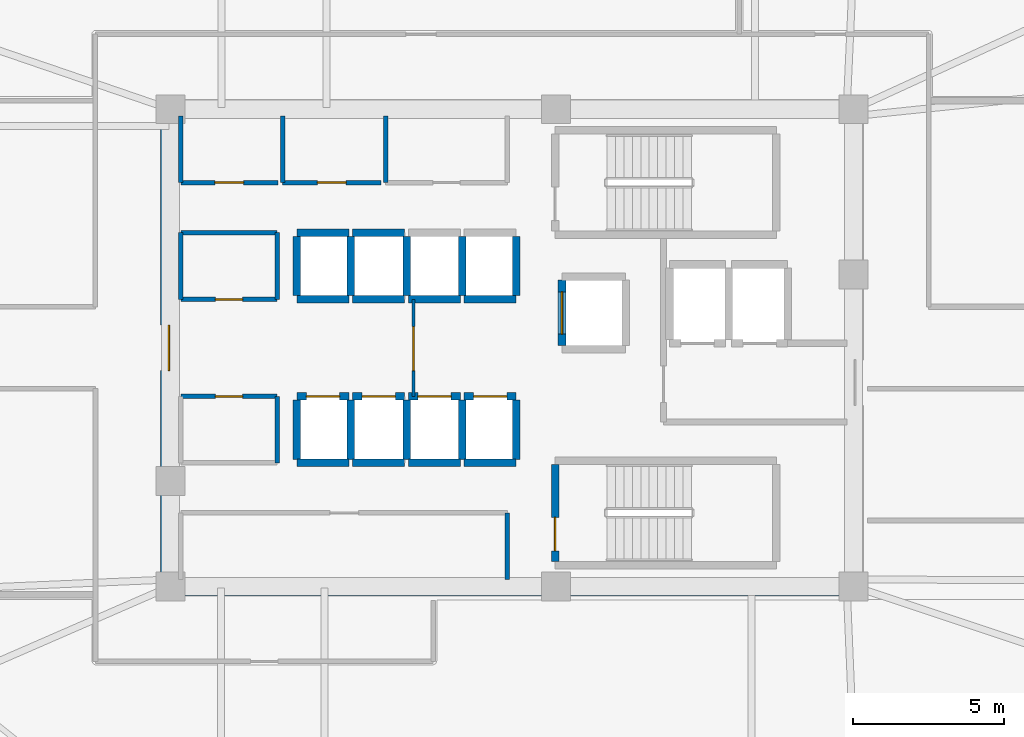
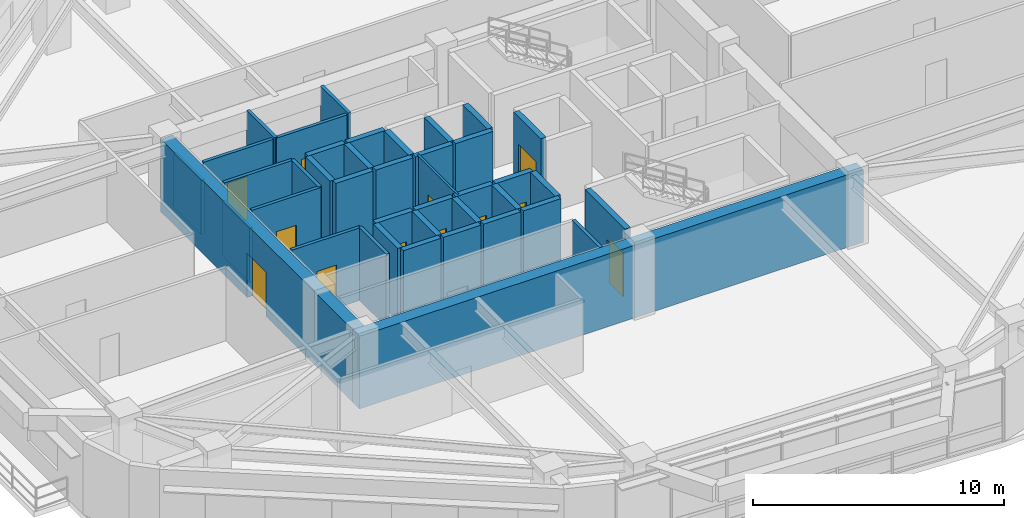
# One storey, part 9 of 14: 41 walls, 12 doors, 12 openings.
"""IFC4 building model written with IfcOpenShell, lengths in metres."""

from ifc_helpers import new_model, si_unit, direction, frame, frame_2d, origin, place, context, subcontext, project, spatial, rectangle, extrude, material, layer, layer_set, type_object, element, fill, save


model = new_model("IFC4")

# Units and contexts
model_context = context("Model", 3, precision=1e-05, world=origin(), true_north=direction((0.0, 1.0)))
body_context = subcontext(model_context, "Body", "Model", "MODEL_VIEW")
ifc_project = project(units=[si_unit("LENGTHUNIT", "METRE"), si_unit("AREAUNIT", "SQUARE_METRE"), si_unit("VOLUMEUNIT", "CUBIC_METRE"), si_unit("PLANEANGLEUNIT", "RADIAN"), si_unit("MASSUNIT", "GRAM", prefix="KILO")], contexts=[model_context])

# Site, building, storey
site_placement = place(None, origin())
site = spatial("IfcSite", under=ifc_project, at=site_placement, CompositionType="ELEMENT")
building_placement = place(site_placement, origin())
building = spatial("IfcBuilding", under=site, at=building_placement, Name="Zulverin Broadcast Headquarters", CompositionType="ELEMENT")
storey_placement = place(building_placement, frame((0.0, 0.0, 140.199951171875)))
storey = spatial("IfcBuildingStorey", under=building, at=storey_placement, Name="L35", CompositionType="ELEMENT", Elevation=140.199951171875)

# Wall
ifc_material_1 = material(Name="Concrete C60/75", Category="concrete")
ifc_layer_1 = layer(ifc_material_1, 0.550048828125, Name="Concrete C60/75", Category="concrete")
ifc_layer_set_1 = layer_set([ifc_layer_1], Name="Concrete C60/75")
wall_type_1 = type_object("IfcWallType", Name="WL-CORE-550", PredefinedType="SHEAR", material=ifc_layer_set_1)
wall_1_placement = place(storey_placement, frame((25.39990234375, 17.27490234375, 0.0), z_axis=(0.0, 0.0, 1.0), x_axis=(1.0, 0.0, 0.0)))
element("IfcWall", 1, at=wall_1_placement, inside=storey, type_object=wall_type_1, Name="L35 Core South Shear Wall", PredefinedType="SHEAR", context=body_context, shape_type="SweptSolid", body=[
    extrude(rectangle(XDim=23.2001953125, YDim=0.550048828125, at=frame_2d((11.60009765625, 0.0))), origin(), (0.0, 0.0, 1.0), 3.5400390625),
])

# Wall, opening, door
wall_2_placement = place(storey_placement, frame((25.675048828125, 17.550048828125, 0.0), z_axis=(0.0, 0.0, 1.0), x_axis=(0.0, 1.0, 0.0)))
wall_2 = element("IfcWall", 2, at=wall_2_placement, inside=storey, type_object=wall_type_1, Name="L35 Core West Shear Wall", PredefinedType="SHEAR", context=body_context, shape_type="SweptSolid", body=[
    extrude(rectangle(XDim=15.300048828125, YDim=0.550048828125, at=frame_2d((7.64990234375, 0.0))), origin(), (0.0, 0.0, 1.0), 3.5400390625),
])
opening_1_placement = place(wall_2_placement, frame((6.89990234375, 0.0, 0.0)))
opening_1 = element("IfcOpeningElement", 3, at=opening_1_placement, cuts=wall_2, Name="Opening D-L35-CW1", PredefinedType="OPENING", context=body_context, shape_type="SweptSolid", body=[
    extrude(rectangle(XDim=1.5, YDim=2.14990234375, at=frame_2d((0.75, 1.074951171875))), frame((0.0, 0.284912109375, 0.0), z_axis=(0.0, -1.0, 0.0), x_axis=(1.0, 0.0, 0.0)), (0.0, 0.0, 1.0), 0.570068359375),
])
ifc_material_2 = material(Name="Fire-rated glazed steel frame", Category="steel")
door_type_1 = type_object("IfcDoorType", Name="DR-COR-1500", OperationType="DOUBLE_DOOR_SINGLE_SWING", PredefinedType="DOOR", material=ifc_material_2)
door_1_placement = place(opening_1_placement, origin())
door_1 = element("IfcDoor", 4, at=door_1_placement, inside=storey, type_object=door_type_1, Name="L35 Central Lift Lobby West Portal Door", OperationType="DOUBLE_DOOR_SINGLE_SWING", OverallHeight=2.14990234375, OverallWidth=1.5, PredefinedType="DOOR", context=body_context, shape_type="SweptSolid", body=[
    extrude(rectangle(XDim=1.5, YDim=2.14990234375, at=frame_2d((0.75, 1.074951171875))), frame((0.0, 0.02490234375, 0.0), z_axis=(0.0, -1.0, 0.0), x_axis=(1.0, 0.0, 0.0)), (0.0, 0.0, 1.0), 0.050048828125),
])
fill(opening_1, door_1)

ifc_material_3 = material(Name="Fire-rated acoustic laminated glass screen", Category="glass")
ifc_layer_2 = layer(ifc_material_3, 0.10009765625, Name="Fire-rated acoustic laminated glass screen", Category="glass")
ifc_layer_set_2 = layer_set([ifc_layer_2], Name="Fire-rated acoustic laminated glass screen")
wall_type_2 = type_object("IfcWallType", Name="WL-GLAZ-100", PredefinedType="PARTITIONING", material=ifc_layer_set_2)
wall_3_placement = place(storey_placement, frame((33.75, 23.60009765625, 0.0), z_axis=(0.0, 0.0, 1.0), x_axis=(0.0, 1.0, 0.0)))
wall_3 = element("IfcWall", 5, at=wall_3_placement, inside=storey, type_object=wall_type_2, Name="L35 Core Lobby Acoustic Screen", PredefinedType="PARTITIONING", context=body_context, shape_type="SweptSolid", body=[
    extrude(rectangle(XDim=3.199951171875, YDim=0.10009765625, at=frame_2d((1.60009765625, 0.0))), origin(), (0.0, 0.0, 1.0), 3.5400390625),
])
opening_2_placement = place(wall_3_placement, frame((0.85009765625, 0.0, 0.0)))
opening_2 = element("IfcOpeningElement", 6, at=opening_2_placement, cuts=wall_3, Name="Opening D-L35-CL1", PredefinedType="OPENING", context=body_context, shape_type="SweptSolid", body=[
    extrude(rectangle(XDim=1.449951171875, YDim=2.1201171875, at=frame_2d((0.72509765625, 1.06005859375))), frame((0.0, 0.06005859375, 0.0), z_axis=(0.0, -1.0, 0.0), x_axis=(1.0, 0.0, 0.0)), (0.0, 0.0, 1.0), 0.1201171875),
])
ifc_material_4 = material(Name="Fire-rated acoustic glazed double leaf", Category="glass")
door_type_2 = type_object("IfcDoorType", Name="DR-GLZ-1450", OperationType="DOUBLE_DOOR_SINGLE_SWING", PredefinedType="DOOR", material=ifc_material_4)
door_2_placement = place(opening_2_placement, origin())
door_2 = element("IfcDoor", 7, at=door_2_placement, inside=storey, type_object=door_type_2, Name="L35 Core Lobby Vestibule Door", OperationType="DOUBLE_DOOR_SINGLE_SWING", OverallHeight=2.1201171875, OverallWidth=1.449951171875, PredefinedType="DOOR", context=body_context, shape_type="SweptSolid", body=[
    extrude(rectangle(XDim=1.449951171875, YDim=2.1201171875, at=frame_2d((0.72509765625, 1.06005859375))), frame((0.0, 0.02490234375, 0.0), z_axis=(0.0, -1.0, 0.0), x_axis=(1.0, 0.0, 0.0)), (0.0, 0.0, 1.0), 0.050048828125),
])
fill(opening_2, door_2)

ifc_material_5 = material(Name="Fire-rated gypsum stud partition", Category="gypsum")
ifc_layer_3 = layer(ifc_material_5, 0.14990234375, Name="Fire-rated gypsum stud partition", Category="gypsum")
ifc_layer_set_3 = layer_set([ifc_layer_3], Name="Fire-rated gypsum stud partition")
wall_type_3 = type_object("IfcWallType", Name="WL-PART-150", PredefinedType="PARTITIONING", material=ifc_layer_set_3)
wall_4_placement = place(storey_placement, frame((26.070068359375, 30.64990234375, 0.0), z_axis=(0.0, 0.0, 1.0), x_axis=(1.0, 0.0, 0.0)))
wall_4 = element("IfcWall", 8, at=wall_4_placement, inside=storey, type_object=wall_type_3, Name="L35 Core Accessible WC Front Wall", PredefinedType="PARTITIONING", context=body_context, shape_type="SweptSolid", body=[
    extrude(rectangle(XDim=3.199951171875, YDim=0.14990234375, at=frame_2d((1.60009765625, 0.0))), origin(), (0.0, 0.0, 1.0), 3.5400390625),
])
opening_3_placement = place(wall_4_placement, frame((1.125, 0.0, 0.0)))
opening_3 = element("IfcOpeningElement", 9, at=opening_3_placement, cuts=wall_4, Name="Opening D-L35-NC1", PredefinedType="OPENING", context=body_context, shape_type="SweptSolid", body=[
    extrude(rectangle(XDim=0.949951171875, YDim=2.10009765625, at=frame_2d((0.47509765625, 1.050048828125))), frame((0.0, 0.0849609375, 0.0), z_axis=(0.0, -1.0, 0.0), x_axis=(1.0, 0.0, 0.0)), (0.0, 0.0, 1.0), 0.169921875),
])
ifc_material_6 = material(Name="Fire-rated moisture-resistant laminate leaf", Category="wood")
door_type_3 = type_object("IfcDoorType", Name="DR-WC-950", OperationType="SINGLE_SWING_LEFT", PredefinedType="DOOR", material=ifc_material_6)
door_3_placement = place(opening_3_placement, origin())
door_3 = element("IfcDoor", 10, at=door_3_placement, inside=storey, type_object=door_type_3, Name="L35 Accessible WC Door", OperationType="SINGLE_SWING_LEFT", OverallHeight=2.10009765625, OverallWidth=0.949951171875, PredefinedType="DOOR", context=body_context, shape_type="SweptSolid", body=[
    extrude(rectangle(XDim=0.949951171875, YDim=2.10009765625, at=frame_2d((0.47509765625, 1.050048828125))), frame((0.0, 0.02490234375, 0.0), z_axis=(0.0, -1.0, 0.0), x_axis=(1.0, 0.0, 0.0)), (0.0, 0.0, 1.0), 0.050048828125),
])
fill(opening_3, door_3)

# Wall
wall_5_placement = place(storey_placement, frame((26.070068359375, 30.64990234375, 0.0), z_axis=(0.0, 0.0, 1.0), x_axis=(0.0, 1.0, 0.0)))
element("IfcWall", 11, at=wall_5_placement, inside=storey, type_object=wall_type_3, Name="L35 Core Accessible WC West Wall", PredefinedType="PARTITIONING", context=body_context, shape_type="SweptSolid", body=[
    extrude(rectangle(XDim=2.2001953125, YDim=0.14990234375, at=frame_2d((1.10009765625, 0.0))), origin(), (0.0, 0.0, 1.0), 2.64013671875),
])

# Wall, opening, door
wall_6_placement = place(storey_placement, frame((29.429931640625, 30.64990234375, 0.0), z_axis=(0.0, 0.0, 1.0), x_axis=(1.0, 0.0, 0.0)))
wall_6 = element("IfcWall", 12, at=wall_6_placement, inside=storey, type_object=wall_type_3, Name="L35 Core Male WC Front Wall", PredefinedType="PARTITIONING", context=body_context, shape_type="SweptSolid", body=[
    extrude(rectangle(XDim=3.239990234375, YDim=0.14990234375, at=frame_2d((1.6201171875, 0.0))), origin(), (0.0, 0.0, 1.0), 3.5400390625),
])
opening_4_placement = place(wall_6_placement, frame((1.14501953125, 0.0, 0.0)))
opening_4 = element("IfcOpeningElement", 13, at=opening_4_placement, cuts=wall_6, Name="Opening D-L35-NC2", PredefinedType="OPENING", context=body_context, shape_type="SweptSolid", body=[
    extrude(rectangle(XDim=0.949951171875, YDim=2.10009765625, at=frame_2d((0.47509765625, 1.050048828125))), frame((0.0, 0.0849609375, 0.0), z_axis=(0.0, -1.0, 0.0), x_axis=(1.0, 0.0, 0.0)), (0.0, 0.0, 1.0), 0.169921875),
])
door_4_placement = place(opening_4_placement, origin())
door_4 = element("IfcDoor", 14, at=door_4_placement, inside=storey, type_object=door_type_3, Name="L35 Male WC Door", OperationType="SINGLE_SWING_RIGHT", OverallHeight=2.10009765625, OverallWidth=0.949951171875, PredefinedType="DOOR", context=body_context, shape_type="SweptSolid", body=[
    extrude(rectangle(XDim=0.949951171875, YDim=2.10009765625, at=frame_2d((0.47509765625, 1.050048828125))), frame((0.0, 0.02490234375, 0.0), z_axis=(0.0, -1.0, 0.0), x_axis=(1.0, 0.0, 0.0)), (0.0, 0.0, 1.0), 0.050048828125),
])
fill(opening_4, door_4)

# Walls
for number, where, z_axis, x_axis, name in (
    (15, (29.429931640625, 30.64990234375, 0.0), (0.0, 0.0, 1.0), (0.0, 1.0, 0.0), "L35 Core Male WC West Wall"),
    (16, (32.830078125, 30.64990234375, 0.0), (0.0, 0.0, 1.0), (0.0, 1.0, 0.0), "L35 Core Electrical Switch Riser West Wall"),
):
    element("IfcWall", number, at=place(storey_placement, frame(where, z_axis=z_axis, x_axis=x_axis)), inside=storey, type_object=wall_type_3, Name=name, PredefinedType="PARTITIONING", context=body_context, shape_type="SweptSolid", body=[
        extrude(rectangle(XDim=2.2001953125, YDim=0.14990234375, at=frame_2d((1.10009765625, 0.0))), origin(), (0.0, 0.0, 1.0), 3.5400390625),
    ])
wall_7_placement = place(storey_placement, frame((36.85009765625, 17.550048828125, 0.0), z_axis=(0.0, 0.0, 1.0), x_axis=(0.0, 1.0, 0.0)))
element("IfcWall", 17, at=wall_7_placement, inside=storey, type_object=wall_type_3, Name="L35 Core Female WC & Facilities Room East Wall", PredefinedType="PARTITIONING", context=body_context, shape_type="SweptSolid", body=[
    extrude(rectangle(XDim=2.199951171875, YDim=0.14990234375, at=frame_2d((1.10009765625, 0.0))), origin(), (0.0, 0.0, 1.0), 3.5400390625),
])

# Wall, opening, door
wall_8_placement = place(storey_placement, frame((26.070068359375, 26.800048828125, 0.0), z_axis=(0.0, 0.0, 1.0), x_axis=(1.0, 0.0, 0.0)))
wall_8 = element("IfcWall", 18, at=wall_8_placement, inside=storey, type_object=wall_type_3, Name="L35 Core UPS Battery Store S Wall", PredefinedType="PARTITIONING", context=body_context, shape_type="SweptSolid", body=[
    extrude(rectangle(XDim=3.179931640625, YDim=0.14990234375, at=frame_2d((1.58984375, 0.0))), origin(), (0.0, 0.0, 1.0), 3.5400390625),
])
opening_5_placement = place(wall_8_placement, frame((1.139892578125, 0.0, 0.0)))
opening_5 = element("IfcOpeningElement", 19, at=opening_5_placement, cuts=wall_8, Name="Opening D-L35-RCLN", PredefinedType="OPENING", context=body_context, shape_type="SweptSolid", body=[
    extrude(rectangle(XDim=0.89990234375, YDim=2.10009765625, at=frame_2d((0.449951171875, 1.050048828125))), frame((0.0, 0.0849609375, 0.0), z_axis=(0.0, -1.0, 0.0), x_axis=(1.0, 0.0, 0.0)), (0.0, 0.0, 1.0), 0.169921875),
])
ifc_material_7 = material(Name="Powder-coated steel access leaf", Category="steel")
door_type_4 = type_object("IfcDoorType", Name="DR-RISER-900", OperationType="SINGLE_SWING_LEFT", PredefinedType="DOOR", material=ifc_material_7)
door_5_placement = place(opening_5_placement, origin())
door_5 = element("IfcDoor", 20, at=door_5_placement, inside=storey, type_object=door_type_4, Name="L35 Core UPS Battery Store Door", OperationType="SINGLE_SWING_LEFT", OverallHeight=2.10009765625, OverallWidth=0.89990234375, PredefinedType="DOOR", context=body_context, shape_type="SweptSolid", body=[
    extrude(rectangle(XDim=0.89990234375, YDim=2.10009765625, at=frame_2d((0.449951171875, 1.050048828125))), frame((0.0, 0.02490234375, 0.0), z_axis=(0.0, -1.0, 0.0), x_axis=(1.0, 0.0, 0.0)), (0.0, 0.0, 1.0), 0.050048828125),
])
fill(opening_5, door_5)

# Walls
wall_9_placement = place(storey_placement, frame((26.070068359375, 29.0, 0.0), z_axis=(0.0, 0.0, 1.0), x_axis=(1.0, 0.0, 0.0)))
element("IfcWall", 21, at=wall_9_placement, inside=storey, type_object=wall_type_3, Name="L35 Core UPS Battery Store N Wall", PredefinedType="PARTITIONING", context=body_context, shape_type="SweptSolid", body=[
    extrude(rectangle(XDim=3.179931640625, YDim=0.14990234375, at=frame_2d((1.58984375, 0.0))), origin(), (0.0, 0.0, 1.0), 3.5400390625),
])
wall_10_placement = place(storey_placement, frame((26.070068359375, 26.800048828125, 0.0), z_axis=(0.0, 0.0, 1.0), x_axis=(0.0, 1.0, 0.0)))
element("IfcWall", 22, at=wall_10_placement, inside=storey, type_object=wall_type_3, Name="L35 Core UPS Battery Store W Wall", PredefinedType="PARTITIONING", context=body_context, shape_type="SweptSolid", body=[
    extrude(rectangle(XDim=2.199951171875, YDim=0.14990234375, at=frame_2d((1.10009765625, 0.0))), origin(), (0.0, 0.0, 1.0), 2.64013671875),
])
wall_11_placement = place(storey_placement, frame((29.25, 26.800048828125, 0.0), z_axis=(0.0, 0.0, 1.0), x_axis=(0.0, 1.0, 0.0)))
element("IfcWall", 23, at=wall_11_placement, inside=storey, type_object=wall_type_3, Name="L35 Core UPS Battery Store E Wall", PredefinedType="PARTITIONING", context=body_context, shape_type="SweptSolid", body=[
    extrude(rectangle(XDim=2.199951171875, YDim=0.14990234375, at=frame_2d((1.10009765625, 0.0))), origin(), (0.0, 0.0, 1.0), 3.5400390625),
])

# Wall, opening, door
wall_12_placement = place(storey_placement, frame((26.070068359375, 23.60009765625, 0.0), z_axis=(0.0, 0.0, 1.0), x_axis=(1.0, 0.0, 0.0)))
wall_12 = element("IfcWall", 24, at=wall_12_placement, inside=storey, type_object=wall_type_3, Name="L35 Media Ingestion Server Room N Wall", PredefinedType="PARTITIONING", context=body_context, shape_type="SweptSolid", body=[
    extrude(rectangle(XDim=3.179931640625, YDim=0.14990234375, at=frame_2d((1.58984375, 0.0))), origin(), (0.0, 0.0, 1.0), 3.5400390625),
])
opening_6_placement = place(wall_12_placement, frame((1.139892578125, 0.0, 0.0)))
opening_6 = element("IfcOpeningElement", 25, at=opening_6_placement, cuts=wall_12, Name="Opening D-L35-RCLS", PredefinedType="OPENING", context=body_context, shape_type="SweptSolid", body=[
    extrude(rectangle(XDim=0.89990234375, YDim=2.10009765625, at=frame_2d((0.449951171875, 1.050048828125))), frame((0.0, 0.0849609375, 0.0), z_axis=(0.0, -1.0, 0.0), x_axis=(1.0, 0.0, 0.0)), (0.0, 0.0, 1.0), 0.169921875),
])
door_6_placement = place(opening_6_placement, origin())
door_6 = element("IfcDoor", 26, at=door_6_placement, inside=storey, type_object=door_type_4, Name="L35 Media Ingestion Server Room Door", OperationType="SINGLE_SWING_RIGHT", OverallHeight=2.10009765625, OverallWidth=0.89990234375, PredefinedType="DOOR", context=body_context, shape_type="SweptSolid", body=[
    extrude(rectangle(XDim=0.89990234375, YDim=2.10009765625, at=frame_2d((0.449951171875, 1.050048828125))), frame((0.0, 0.02490234375, 0.0), z_axis=(0.0, -1.0, 0.0), x_axis=(1.0, 0.0, 0.0)), (0.0, 0.0, 1.0), 0.050048828125),
])
fill(opening_6, door_6)

# Wall
wall_13_placement = place(storey_placement, frame((29.25, 21.39990234375, 0.0), z_axis=(0.0, 0.0, 1.0), x_axis=(0.0, 1.0, 0.0)))
element("IfcWall", 27, at=wall_13_placement, inside=storey, type_object=wall_type_3, Name="L35 Media Ingestion Server Room E Wall", PredefinedType="PARTITIONING", context=body_context, shape_type="SweptSolid", body=[
    extrude(rectangle(XDim=2.2001953125, YDim=0.14990234375, at=frame_2d((1.10009765625, 0.0))), origin(), (0.0, 0.0, 1.0), 3.5400390625),
])

# Wall, opening, door
ifc_material_8 = material(Name="Concrete C50/60", Category="concrete")
ifc_layer_4 = layer(ifc_material_8, 0.25, Name="Concrete C50/60", Category="concrete")
ifc_layer_set_4 = layer_set([ifc_layer_4], Name="Concrete C50/60")
wall_type_4 = type_object("IfcWallType", Name="WL-SHAFT-250", PredefinedType="SHEAR", material=ifc_layer_set_4)
wall_14_placement = place(storey_placement, frame((38.425048828125, 18.14990234375, 0.0), z_axis=(0.0, 0.0, 1.0), x_axis=(0.0, 1.0, 0.0)))
wall_14 = element("IfcWall", 28, at=wall_14_placement, inside=storey, type_object=wall_type_4, Name="L35 ST-2 Enclosure Wall W", PredefinedType="SHEAR", context=body_context, shape_type="SweptSolid", body=[
    extrude(rectangle(XDim=3.2001953125, YDim=0.25, at=frame_2d((1.60009765625, 0.0))), origin(), (0.0, 0.0, 1.0), 3.5400390625),
])
opening_7_placement = place(wall_14_placement, frame((0.35009765625, 0.0, 0.0)))
opening_7 = element("IfcOpeningElement", 29, at=opening_7_placement, cuts=wall_14, Name="Opening D-L35-ST-2", PredefinedType="OPENING", context=body_context, shape_type="SweptSolid", body=[
    extrude(rectangle(XDim=1.10009765625, YDim=2.14990234375, at=frame_2d((0.550048828125, 1.074951171875))), frame((0.0, 0.135009765625, 0.0), z_axis=(0.0, -1.0, 0.0), x_axis=(1.0, 0.0, 0.0)), (0.0, 0.0, 1.0), 0.27001953125),
])
ifc_material_9 = material(Name="Fire-rated steel leaf and frame", Category="steel")
door_type_5 = type_object("IfcDoorType", Name="DR-STAIR-1100", OperationType="SINGLE_SWING_LEFT", PredefinedType="DOOR", material=ifc_material_9)
door_7_placement = place(opening_7_placement, origin())
door_7 = element("IfcDoor", 30, at=door_7_placement, inside=storey, type_object=door_type_5, Name="L35 Exit Stair ST-2 Fire Door", OperationType="SINGLE_SWING_RIGHT", OverallHeight=2.14990234375, OverallWidth=1.10009765625, PredefinedType="DOOR", context=body_context, shape_type="SweptSolid", body=[
    extrude(rectangle(XDim=1.10009765625, YDim=2.14990234375, at=frame_2d((0.550048828125, 1.074951171875))), frame((0.0, 0.02490234375, 0.0), z_axis=(0.0, -1.0, 0.0), x_axis=(1.0, 0.0, 0.0)), (0.0, 0.0, 1.0), 0.050048828125),
])
fill(opening_7, door_7)

# Wall
wall_15_placement = place(storey_placement, frame((29.89990234375, 21.39990234375, 0.0), z_axis=(0.0, 0.0, 1.0), x_axis=(1.0, 0.0, 0.0)))
element("IfcWall", 31, at=wall_15_placement, inside=storey, type_object=wall_type_4, Name="L35 Lift PL-M1 Shaft Wall S", PredefinedType="SHEAR", context=body_context, shape_type="SweptSolid", body=[
    extrude(rectangle(XDim=1.72021484375, YDim=0.25, at=frame_2d((0.860107421875, 0.0))), origin(), (0.0, 0.0, 1.0), 3.5400390625),
])

# Wall, opening, door
wall_16_placement = place(storey_placement, frame((29.89990234375, 23.60009765625, 0.0), z_axis=(0.0, 0.0, 1.0), x_axis=(1.0, 0.0, 0.0)))
wall_16 = element("IfcWall", 32, at=wall_16_placement, inside=storey, type_object=wall_type_4, Name="L35 Lift PL-M1 Shaft Wall N", PredefinedType="SHEAR", context=body_context, shape_type="SweptSolid", body=[
    extrude(rectangle(XDim=1.72021484375, YDim=0.25, at=frame_2d((0.860107421875, 0.0))), origin(), (0.0, 0.0, 1.0), 3.5400390625),
])
opening_8_placement = place(wall_16_placement, frame((0.31005859375, 0.0, 0.0)))
opening_8 = element("IfcOpeningElement", 33, at=opening_8_placement, cuts=wall_16, Name="Opening LD-PL-M1-L35", PredefinedType="OPENING", context=body_context, shape_type="SweptSolid", body=[
    extrude(rectangle(XDim=1.10009765625, YDim=2.14990234375, at=frame_2d((0.550048828125, 1.074951171875))), frame((0.0, 0.135009765625, 0.0), z_axis=(0.0, -1.0, 0.0), x_axis=(1.0, 0.0, 0.0)), (0.0, 0.0, 1.0), 0.27001953125),
])
ifc_material_10 = material(Name="Brushed stainless steel landing", Category="steel")
door_type_6 = type_object("IfcDoorType", Name="LD-PASS-1100", OperationType="DOUBLE_DOOR_SLIDING", PredefinedType="DOOR", material=ifc_material_10)
door_8_placement = place(opening_8_placement, origin())
door_8 = element("IfcDoor", 34, at=door_8_placement, inside=storey, type_object=door_type_6, Name="L35 Lift PL-M1 Sliding Landing Door", OperationType="DOUBLE_DOOR_SLIDING", OverallHeight=2.14990234375, OverallWidth=1.10009765625, PredefinedType="DOOR", context=body_context, shape_type="SweptSolid", body=[
    extrude(rectangle(XDim=1.10009765625, YDim=2.14990234375, at=frame_2d((0.550048828125, 1.074951171875))), frame((0.0, 0.02490234375, 0.0), z_axis=(0.0, -1.0, 0.0), x_axis=(1.0, 0.0, 0.0)), (0.0, 0.0, 1.0), 0.050048828125),
])
fill(opening_8, door_8)

# Walls
for number, where, z_axis, x_axis, name in (
    (35, (29.89990234375, 21.52001953125, 0.0), (0.0, 0.0, 1.0), (0.0, 1.0, 0.0), "L35 Lift PL-M1 Shaft Wall W"),
    (36, (31.679931640625, 21.52001953125, 0.0), (0.0, 0.0, 1.0), (0.0, 1.0, 0.0), "L35 Lift PL-M1 Shaft Wall E"),
):
    element("IfcWall", number, at=place(storey_placement, frame(where, z_axis=z_axis, x_axis=x_axis)), inside=storey, type_object=wall_type_4, Name=name, PredefinedType="SHEAR", context=body_context, shape_type="SweptSolid", body=[
        extrude(rectangle(XDim=1.9599609375, YDim=0.25, at=frame_2d((0.97998046875, 0.0))), origin(), (0.0, 0.0, 1.0), 3.5400390625),
    ])
wall_17_placement = place(storey_placement, frame((31.739990234375, 21.39990234375, 0.0), z_axis=(0.0, 0.0, 1.0), x_axis=(1.0, 0.0, 0.0)))
element("IfcWall", 37, at=wall_17_placement, inside=storey, type_object=wall_type_4, Name="L35 Lift PL-M2 Shaft Wall S", PredefinedType="SHEAR", context=body_context, shape_type="SweptSolid", body=[
    extrude(rectangle(XDim=1.719970703125, YDim=0.25, at=frame_2d((0.85986328125, 0.0))), origin(), (0.0, 0.0, 1.0), 3.5400390625),
])

# Wall, opening, door
wall_18_placement = place(storey_placement, frame((31.739990234375, 23.60009765625, 0.0), z_axis=(0.0, 0.0, 1.0), x_axis=(1.0, 0.0, 0.0)))
wall_18 = element("IfcWall", 38, at=wall_18_placement, inside=storey, type_object=wall_type_4, Name="L35 Lift PL-M2 Shaft Wall N", PredefinedType="SHEAR", context=body_context, shape_type="SweptSolid", body=[
    extrude(rectangle(XDim=1.719970703125, YDim=0.25, at=frame_2d((0.85986328125, 0.0))), origin(), (0.0, 0.0, 1.0), 3.5400390625),
])
opening_9_placement = place(wall_18_placement, frame((0.31005859375, 0.0, 0.0)))
opening_9 = element("IfcOpeningElement", 39, at=opening_9_placement, cuts=wall_18, Name="Opening LD-PL-M2-L35", PredefinedType="OPENING", context=body_context, shape_type="SweptSolid", body=[
    extrude(rectangle(XDim=1.10009765625, YDim=2.14990234375, at=frame_2d((0.550048828125, 1.074951171875))), frame((0.0, 0.135009765625, 0.0), z_axis=(0.0, -1.0, 0.0), x_axis=(1.0, 0.0, 0.0)), (0.0, 0.0, 1.0), 0.27001953125),
])
door_9_placement = place(opening_9_placement, origin())
door_9 = element("IfcDoor", 40, at=door_9_placement, inside=storey, type_object=door_type_6, Name="L35 Lift PL-M2 Sliding Landing Door", OperationType="DOUBLE_DOOR_SLIDING", OverallHeight=2.14990234375, OverallWidth=1.10009765625, PredefinedType="DOOR", context=body_context, shape_type="SweptSolid", body=[
    extrude(rectangle(XDim=1.10009765625, YDim=2.14990234375, at=frame_2d((0.550048828125, 1.074951171875))), frame((0.0, 0.02490234375, 0.0), z_axis=(0.0, -1.0, 0.0), x_axis=(1.0, 0.0, 0.0)), (0.0, 0.0, 1.0), 0.050048828125),
])
fill(opening_9, door_9)

# Walls
wall_19_placement = place(storey_placement, frame((33.52001953125, 21.52001953125, 0.0), z_axis=(0.0, 0.0, 1.0), x_axis=(0.0, 1.0, 0.0)))
element("IfcWall", 41, at=wall_19_placement, inside=storey, type_object=wall_type_4, Name="L35 Lift PL-M2 Shaft Wall E", PredefinedType="SHEAR", context=body_context, shape_type="SweptSolid", body=[
    extrude(rectangle(XDim=1.9599609375, YDim=0.25, at=frame_2d((0.97998046875, 0.0))), origin(), (0.0, 0.0, 1.0), 3.5400390625),
])
wall_20_placement = place(storey_placement, frame((33.580078125, 21.39990234375, 0.0), z_axis=(0.0, 0.0, 1.0), x_axis=(1.0, 0.0, 0.0)))
element("IfcWall", 42, at=wall_20_placement, inside=storey, type_object=wall_type_4, Name="L35 Lift PL-M3 Shaft Wall S", PredefinedType="SHEAR", context=body_context, shape_type="SweptSolid", body=[
    extrude(rectangle(XDim=1.719970703125, YDim=0.25, at=frame_2d((0.85986328125, 0.0))), origin(), (0.0, 0.0, 1.0), 3.5400390625),
])

# Wall, opening, door
wall_21_placement = place(storey_placement, frame((33.580078125, 23.60009765625, 0.0), z_axis=(0.0, 0.0, 1.0), x_axis=(1.0, 0.0, 0.0)))
wall_21 = element("IfcWall", 43, at=wall_21_placement, inside=storey, type_object=wall_type_4, Name="L35 Lift PL-M3 Shaft Wall N", PredefinedType="SHEAR", context=body_context, shape_type="SweptSolid", body=[
    extrude(rectangle(XDim=1.719970703125, YDim=0.25, at=frame_2d((0.85986328125, 0.0))), origin(), (0.0, 0.0, 1.0), 3.5400390625),
])
opening_10_placement = place(wall_21_placement, frame((0.31005859375, 0.0, 0.0)))
opening_10 = element("IfcOpeningElement", 44, at=opening_10_placement, cuts=wall_21, Name="Opening LD-PL-M3-L35", PredefinedType="OPENING", context=body_context, shape_type="SweptSolid", body=[
    extrude(rectangle(XDim=1.10009765625, YDim=2.14990234375, at=frame_2d((0.550048828125, 1.074951171875))), frame((0.0, 0.135009765625, 0.0), z_axis=(0.0, -1.0, 0.0), x_axis=(1.0, 0.0, 0.0)), (0.0, 0.0, 1.0), 0.27001953125),
])
door_10_placement = place(opening_10_placement, origin())
door_10 = element("IfcDoor", 45, at=door_10_placement, inside=storey, type_object=door_type_6, Name="L35 Lift PL-M3 Sliding Landing Door", OperationType="DOUBLE_DOOR_SLIDING", OverallHeight=2.14990234375, OverallWidth=1.10009765625, PredefinedType="DOOR", context=body_context, shape_type="SweptSolid", body=[
    extrude(rectangle(XDim=1.10009765625, YDim=2.14990234375, at=frame_2d((0.550048828125, 1.074951171875))), frame((0.0, 0.02490234375, 0.0), z_axis=(0.0, -1.0, 0.0), x_axis=(1.0, 0.0, 0.0)), (0.0, 0.0, 1.0), 0.050048828125),
])
fill(opening_10, door_10)

# Walls
wall_22_placement = place(storey_placement, frame((35.360107421875, 21.52001953125, 0.0), z_axis=(0.0, 0.0, 1.0), x_axis=(0.0, 1.0, 0.0)))
element("IfcWall", 46, at=wall_22_placement, inside=storey, type_object=wall_type_4, Name="L35 Lift PL-M3 Shaft Wall E", PredefinedType="SHEAR", context=body_context, shape_type="SweptSolid", body=[
    extrude(rectangle(XDim=1.9599609375, YDim=0.25, at=frame_2d((0.97998046875, 0.0))), origin(), (0.0, 0.0, 1.0), 3.5400390625),
])
wall_23_placement = place(storey_placement, frame((35.419921875, 21.39990234375, 0.0), z_axis=(0.0, 0.0, 1.0), x_axis=(1.0, 0.0, 0.0)))
element("IfcWall", 47, at=wall_23_placement, inside=storey, type_object=wall_type_4, Name="L35 Lift PL-M4 Shaft Wall S", PredefinedType="SHEAR", context=body_context, shape_type="SweptSolid", body=[
    extrude(rectangle(XDim=1.719970703125, YDim=0.25, at=frame_2d((0.85986328125, 0.0))), origin(), (0.0, 0.0, 1.0), 3.5400390625),
])

# Wall, opening, door
wall_24_placement = place(storey_placement, frame((35.419921875, 23.60009765625, 0.0), z_axis=(0.0, 0.0, 1.0), x_axis=(1.0, 0.0, 0.0)))
wall_24 = element("IfcWall", 48, at=wall_24_placement, inside=storey, type_object=wall_type_4, Name="L35 Lift PL-M4 Shaft Wall N", PredefinedType="SHEAR", context=body_context, shape_type="SweptSolid", body=[
    extrude(rectangle(XDim=1.719970703125, YDim=0.25, at=frame_2d((0.85986328125, 0.0))), origin(), (0.0, 0.0, 1.0), 3.5400390625),
])
opening_11_placement = place(wall_24_placement, frame((0.31005859375, 0.0, 0.0)))
opening_11 = element("IfcOpeningElement", 49, at=opening_11_placement, cuts=wall_24, Name="Opening LD-PL-M4-L35", PredefinedType="OPENING", context=body_context, shape_type="SweptSolid", body=[
    extrude(rectangle(XDim=1.10009765625, YDim=2.14990234375, at=frame_2d((0.550048828125, 1.074951171875))), frame((0.0, 0.135009765625, 0.0), z_axis=(0.0, -1.0, 0.0), x_axis=(1.0, 0.0, 0.0)), (0.0, 0.0, 1.0), 0.27001953125),
])
door_11_placement = place(opening_11_placement, origin())
door_11 = element("IfcDoor", 50, at=door_11_placement, inside=storey, type_object=door_type_6, Name="L35 Lift PL-M4 Sliding Landing Door", OperationType="DOUBLE_DOOR_SLIDING", OverallHeight=2.14990234375, OverallWidth=1.10009765625, PredefinedType="DOOR", context=body_context, shape_type="SweptSolid", body=[
    extrude(rectangle(XDim=1.10009765625, YDim=2.14990234375, at=frame_2d((0.550048828125, 1.074951171875))), frame((0.0, 0.02490234375, 0.0), z_axis=(0.0, -1.0, 0.0), x_axis=(1.0, 0.0, 0.0)), (0.0, 0.0, 1.0), 0.050048828125),
])
fill(opening_11, door_11)

# Walls
wall_25_placement = place(storey_placement, frame((37.139892578125, 21.52001953125, 0.0), z_axis=(0.0, 0.0, 1.0), x_axis=(0.0, 1.0, 0.0)))
element("IfcWall", 51, at=wall_25_placement, inside=storey, type_object=wall_type_4, Name="L35 Lift PL-M4 Shaft Wall E", PredefinedType="SHEAR", context=body_context, shape_type="SweptSolid", body=[
    extrude(rectangle(XDim=1.9599609375, YDim=0.25, at=frame_2d((0.97998046875, 0.0))), origin(), (0.0, 0.0, 1.0), 3.5400390625),
])
for number, where, z_axis, x_axis, name in (
    (52, (29.89990234375, 26.800048828125, 0.0), (0.0, 0.0, 1.0), (1.0, 0.0, 0.0), "L35 Lift PL-H1 Shaft Wall S"),
    (53, (29.89990234375, 29.0, 0.0), (0.0, 0.0, 1.0), (1.0, 0.0, 0.0), "L35 Lift PL-H1 Shaft Wall N"),
):
    element("IfcWall", number, at=place(storey_placement, frame(where, z_axis=z_axis, x_axis=x_axis)), inside=storey, type_object=wall_type_4, Name=name, PredefinedType="SHEAR", context=body_context, shape_type="SweptSolid", body=[
        extrude(rectangle(XDim=1.72021484375, YDim=0.25, at=frame_2d((0.860107421875, 0.0))), origin(), (0.0, 0.0, 1.0), 3.5400390625),
    ])
for number, where, z_axis, x_axis, name in (
    (54, (29.89990234375, 26.919921875, 0.0), (0.0, 0.0, 1.0), (0.0, 1.0, 0.0), "L35 Lift PL-H1 Shaft Wall W"),
    (55, (31.679931640625, 26.919921875, 0.0), (0.0, 0.0, 1.0), (0.0, 1.0, 0.0), "L35 Lift PL-H1 Shaft Wall E"),
):
    element("IfcWall", number, at=place(storey_placement, frame(where, z_axis=z_axis, x_axis=x_axis)), inside=storey, type_object=wall_type_4, Name=name, PredefinedType="SHEAR", context=body_context, shape_type="SweptSolid", body=[
        extrude(rectangle(XDim=1.9599609375, YDim=0.25, at=frame_2d((0.97998046875, 0.0))), origin(), (0.0, 0.0, 1.0), 3.5400390625),
    ])
for number, where, z_axis, x_axis, name in (
    (56, (31.739990234375, 26.800048828125, 0.0), (0.0, 0.0, 1.0), (1.0, 0.0, 0.0), "L35 Lift PL-H2 Shaft Wall S"),
    (57, (31.739990234375, 29.0, 0.0), (0.0, 0.0, 1.0), (1.0, 0.0, 0.0), "L35 Lift PL-H2 Shaft Wall N"),
):
    element("IfcWall", number, at=place(storey_placement, frame(where, z_axis=z_axis, x_axis=x_axis)), inside=storey, type_object=wall_type_4, Name=name, PredefinedType="SHEAR", context=body_context, shape_type="SweptSolid", body=[
        extrude(rectangle(XDim=1.719970703125, YDim=0.25, at=frame_2d((0.85986328125, 0.0))), origin(), (0.0, 0.0, 1.0), 3.5400390625),
    ])
wall_26_placement = place(storey_placement, frame((33.52001953125, 26.919921875, 0.0), z_axis=(0.0, 0.0, 1.0), x_axis=(0.0, 1.0, 0.0)))
element("IfcWall", 58, at=wall_26_placement, inside=storey, type_object=wall_type_4, Name="L35 Lift PL-H2 Shaft Wall E", PredefinedType="SHEAR", context=body_context, shape_type="SweptSolid", body=[
    extrude(rectangle(XDim=1.9599609375, YDim=0.25, at=frame_2d((0.97998046875, 0.0))), origin(), (0.0, 0.0, 1.0), 3.5400390625),
])
wall_27_placement = place(storey_placement, frame((33.580078125, 26.800048828125, 0.0), z_axis=(0.0, 0.0, 1.0), x_axis=(1.0, 0.0, 0.0)))
element("IfcWall", 59, at=wall_27_placement, inside=storey, type_object=wall_type_4, Name="L35 Lift PL-H3 Shaft Wall S", PredefinedType="SHEAR", context=body_context, shape_type="SweptSolid", body=[
    extrude(rectangle(XDim=1.719970703125, YDim=0.25, at=frame_2d((0.85986328125, 0.0))), origin(), (0.0, 0.0, 1.0), 3.5400390625),
])
wall_28_placement = place(storey_placement, frame((35.360107421875, 26.919921875, 0.0), z_axis=(0.0, 0.0, 1.0), x_axis=(0.0, 1.0, 0.0)))
element("IfcWall", 60, at=wall_28_placement, inside=storey, type_object=wall_type_4, Name="L35 Lift PL-H3 Shaft Wall E", PredefinedType="SHEAR", context=body_context, shape_type="SweptSolid", body=[
    extrude(rectangle(XDim=1.9599609375, YDim=0.25, at=frame_2d((0.97998046875, 0.0))), origin(), (0.0, 0.0, 1.0), 3.5400390625),
])
wall_29_placement = place(storey_placement, frame((35.419921875, 26.800048828125, 0.0), z_axis=(0.0, 0.0, 1.0), x_axis=(1.0, 0.0, 0.0)))
element("IfcWall", 61, at=wall_29_placement, inside=storey, type_object=wall_type_4, Name="L35 Lift PL-H4 Shaft Wall S", PredefinedType="SHEAR", context=body_context, shape_type="SweptSolid", body=[
    extrude(rectangle(XDim=1.719970703125, YDim=0.25, at=frame_2d((0.85986328125, 0.0))), origin(), (0.0, 0.0, 1.0), 3.5400390625),
])
wall_30_placement = place(storey_placement, frame((37.139892578125, 26.919921875, 0.0), z_axis=(0.0, 0.0, 1.0), x_axis=(0.0, 1.0, 0.0)))
element("IfcWall", 62, at=wall_30_placement, inside=storey, type_object=wall_type_4, Name="L35 Lift PL-H4 Shaft Wall E", PredefinedType="SHEAR", context=body_context, shape_type="SweptSolid", body=[
    extrude(rectangle(XDim=1.9599609375, YDim=0.25, at=frame_2d((0.97998046875, 0.0))), origin(), (0.0, 0.0, 1.0), 3.5400390625),
])

# Wall, opening, door
wall_31_placement = place(storey_placement, frame((38.64990234375, 25.27001953125, 0.0), z_axis=(0.0, 0.0, 1.0), x_axis=(0.0, 1.0, 0.0)))
wall_31 = element("IfcWall", 63, at=wall_31_placement, inside=storey, type_object=wall_type_4, Name="L35 Lift SVL-1 Shaft Wall W", PredefinedType="SHEAR", context=body_context, shape_type="SweptSolid", body=[
    extrude(rectangle(XDim=2.159912109375, YDim=0.25, at=frame_2d((1.080078125, 0.0))), origin(), (0.0, 0.0, 1.0), 3.5400390625),
])
opening_12_placement = place(wall_31_placement, frame((0.3798828125, 0.0, 0.0)))
opening_12 = element("IfcOpeningElement", 64, at=opening_12_placement, cuts=wall_31, Name="Opening LD-SVL-1-L35", PredefinedType="OPENING", context=body_context, shape_type="SweptSolid", body=[
    extrude(rectangle(XDim=1.39990234375, YDim=2.199951171875, at=frame_2d((0.699951171875, 1.10009765625))), frame((0.0, 0.135009765625, 0.0), z_axis=(0.0, -1.0, 0.0), x_axis=(1.0, 0.0, 0.0)), (0.0, 0.0, 1.0), 0.27001953125),
])
ifc_material_11 = material(Name="Heavy-duty stainless landing door", Category="steel")
door_type_7 = type_object("IfcDoorType", Name="LD-GOODS-1400", OperationType="DOUBLE_DOOR_SLIDING", PredefinedType="DOOR", material=ifc_material_11)
door_12_placement = place(opening_12_placement, origin())
door_12 = element("IfcDoor", 65, at=door_12_placement, inside=storey, type_object=door_type_7, Name="L35 Lift SVL-1 Sliding Landing Door", OperationType="DOUBLE_DOOR_SLIDING", OverallHeight=2.199951171875, OverallWidth=1.39990234375, PredefinedType="DOOR", context=body_context, shape_type="SweptSolid", body=[
    extrude(rectangle(XDim=1.39990234375, YDim=2.199951171875, at=frame_2d((0.699951171875, 1.10009765625))), frame((0.0, 0.02490234375, 0.0), z_axis=(0.0, -1.0, 0.0), x_axis=(1.0, 0.0, 0.0)), (0.0, 0.0, 1.0), 0.050048828125),
])
fill(opening_12, door_12)

save(model, "model.ifc")
